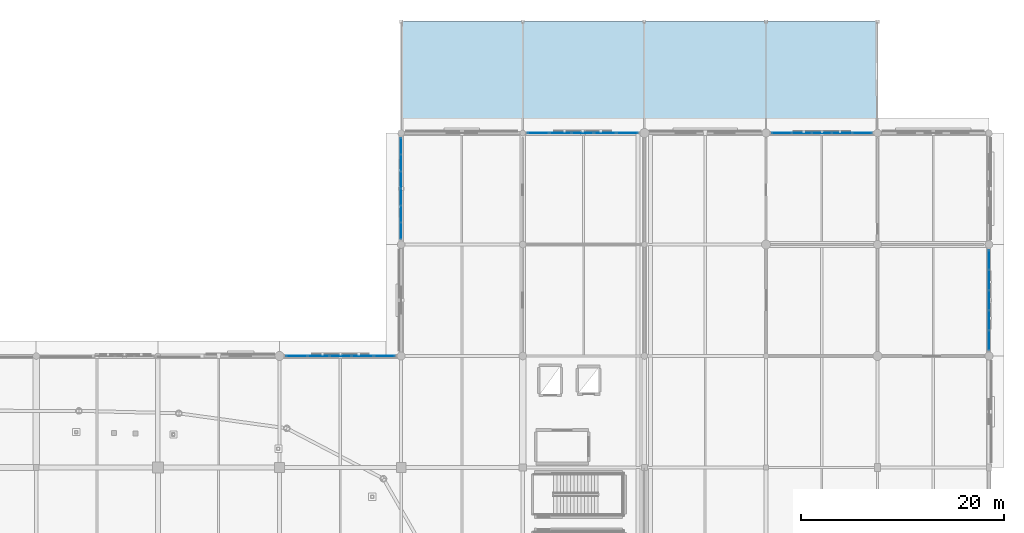
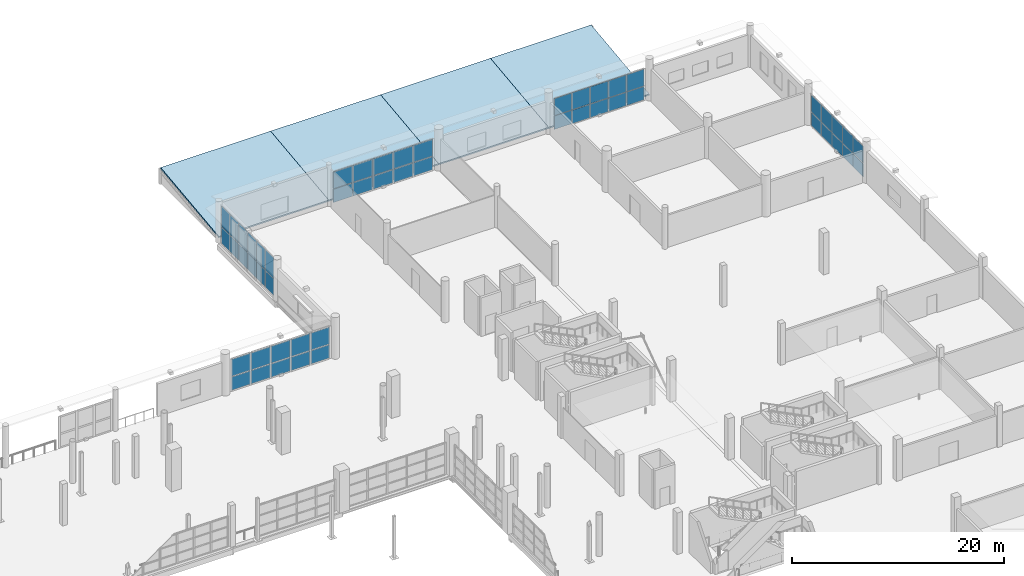
# One storey, part 83 of 143: 52 plates, 4 slabs, 5 elements without a shape of their own.
"""IFC4 building model written with IfcOpenShell, lengths in metres."""

from ifc_helpers import new_model, si_unit, direction, frame, origin, origin_2d, place, context, subcontext, project, spatial, polyline, rectangle, outline, extrude, material, layer, layer_set, type_object, element, aggregate, save


model = new_model("IFC4")

# Units and contexts
model_context = context("Model", 3, precision=1e-05, world=origin(), true_north=direction((0.0, 1.0)))
body_context = subcontext(model_context, "Body", "Model", "MODEL_VIEW")
ifc_project = project(units=[si_unit("LENGTHUNIT", "METRE"), si_unit("AREAUNIT", "SQUARE_METRE"), si_unit("VOLUMEUNIT", "CUBIC_METRE"), si_unit("PLANEANGLEUNIT", "RADIAN"), si_unit("MASSUNIT", "GRAM", prefix="KILO")], contexts=[model_context])

# Site, building, storey
site_placement = place(None, origin())
site = spatial("IfcSite", under=ifc_project, at=site_placement, CompositionType="ELEMENT")
building_placement = place(site_placement, origin())
building = spatial("IfcBuilding", under=site, at=building_placement, Name="Luwafu Chhajja Arena", CompositionType="ELEMENT")
storey_placement = place(building_placement, frame((0.0, 0.0, 5.39990234375)))
storey = spatial("IfcBuildingStorey", under=building, at=storey_placement, Name="L01", CompositionType="ELEMENT", Elevation=5.39990234375)

# Curtain wall, plates
ifc_material_1 = material(Name="Anodised bronze aluminium", Category="aluminium")
curtain_wall_type_1 = type_object("IfcCurtainWallType", Name="VIP Club Terrace Curtain Wall", PredefinedType="USERDEFINED", material=ifc_material_1)
curtain_wall_1_placement = place(storey_placement, origin())
curtain_wall_1 = element("IfcCurtainWall", 1, at=curtain_wall_1_placement, inside=storey, type_object=curtain_wall_type_1, Name="L01 Curtain Wall CWG-L01-H15_11", ObjectType="CURTAIN WALL", PredefinedType="USERDEFINED")
ifc_material_2 = material(Name="Solar-control laminated glass", Category="glass")
ifc_layer_1 = layer(ifc_material_2, 0.035888671875, Name="Solar-control laminated glass")
ifc_layer_set_1 = layer_set([ifc_layer_1], Name="Solar-control laminated glass")
plate_type_1 = type_object("IfcPlateType", Name="Acoustic Broadcast Double Glazed CW Panel 36", PredefinedType="CURTAIN_PANEL", material=ifc_layer_set_1)
plate_1_placement = place(storey_placement, frame((177.55078125, 121.0, 0.09521484375), z_axis=(0.0, 0.0, 1.0), x_axis=(1.0, 0.0, 0.0)))
plate_1 = element("IfcPlate", 2, at=plate_1_placement, type_object=plate_type_1, Name="CW-10 panel 1.1", PredefinedType="CURTAIN_PANEL", context=body_context, shape_type="SweptSolid", body=[
    extrude(rectangle(XDim=1.8916015625, YDim=0.035888671875, at=origin_2d()), origin(), (0.0, 0.0, 1.0), 1.539794921875),
])
plate_2_placement = place(storey_placement, frame((177.55078125, 121.0, 1.69970703125), z_axis=(0.0, 0.0, 1.0), x_axis=(1.0, 0.0, 0.0)))
plate_2 = element("IfcPlate", 3, at=plate_2_placement, type_object=plate_type_1, Name="CW-10 panel 1.2", PredefinedType="CURTAIN_PANEL", context=body_context, shape_type="SweptSolid", body=[
    extrude(rectangle(XDim=1.8916015625, YDim=0.035888671875, at=origin_2d()), origin(), (0.0, 0.0, 1.0), 1.940185546875),
])
plate_3_placement = place(storey_placement, frame((179.5234375, 121.0, 0.09521484375), z_axis=(0.0, 0.0, 1.0), x_axis=(1.0, 0.0, 0.0)))
plate_3 = element("IfcPlate", 4, at=plate_3_placement, type_object=plate_type_1, Name="CW-10 panel 2.1", PredefinedType="CURTAIN_PANEL", context=body_context, shape_type="SweptSolid", body=[
    extrude(rectangle(XDim=1.924072265625, YDim=0.035888671875, at=origin_2d()), origin(), (0.0, 0.0, 1.0), 1.539794921875),
])
plate_4_placement = place(storey_placement, frame((179.5234375, 121.0, 1.69970703125), z_axis=(0.0, 0.0, 1.0), x_axis=(1.0, 0.0, 0.0)))
plate_4 = element("IfcPlate", 5, at=plate_4_placement, type_object=plate_type_1, Name="CW-10 panel 2.2", PredefinedType="CURTAIN_PANEL", context=body_context, shape_type="SweptSolid", body=[
    extrude(rectangle(XDim=1.924072265625, YDim=0.035888671875, at=origin_2d()), origin(), (0.0, 0.0, 1.0), 1.940185546875),
])
plate_5_placement = place(storey_placement, frame((181.512451171875, 121.0, 0.09521484375), z_axis=(0.0, 0.0, 1.0), x_axis=(1.0, 0.0, 0.0)))
plate_5 = element("IfcPlate", 6, at=plate_5_placement, type_object=plate_type_1, Name="CW-10 panel 3.1", PredefinedType="CURTAIN_PANEL", context=body_context, shape_type="SweptSolid", body=[
    extrude(rectangle(XDim=1.924072265625, YDim=0.035888671875, at=origin_2d()), origin(), (0.0, 0.0, 1.0), 1.539794921875),
])
plate_6_placement = place(storey_placement, frame((181.512451171875, 121.0, 1.69970703125), z_axis=(0.0, 0.0, 1.0), x_axis=(1.0, 0.0, 0.0)))
plate_6 = element("IfcPlate", 7, at=plate_6_placement, type_object=plate_type_1, Name="CW-10 panel 3.2", PredefinedType="CURTAIN_PANEL", context=body_context, shape_type="SweptSolid", body=[
    extrude(rectangle(XDim=1.924072265625, YDim=0.035888671875, at=origin_2d()), origin(), (0.0, 0.0, 1.0), 1.940185546875),
])
plate_7_placement = place(storey_placement, frame((183.50146484375, 121.0, 0.09521484375), z_axis=(0.0, 0.0, 1.0), x_axis=(1.0, 0.0, 0.0)))
plate_7 = element("IfcPlate", 8, at=plate_7_placement, type_object=plate_type_1, Name="CW-10 panel 4.1", PredefinedType="CURTAIN_PANEL", context=body_context, shape_type="SweptSolid", body=[
    extrude(rectangle(XDim=1.924072265625, YDim=0.035888671875, at=origin_2d()), origin(), (0.0, 0.0, 1.0), 1.539794921875),
])
plate_8_placement = place(storey_placement, frame((183.50146484375, 121.0, 1.69970703125), z_axis=(0.0, 0.0, 1.0), x_axis=(1.0, 0.0, 0.0)))
plate_8 = element("IfcPlate", 9, at=plate_8_placement, type_object=plate_type_1, Name="CW-10 panel 4.2", PredefinedType="CURTAIN_PANEL", context=body_context, shape_type="SweptSolid", body=[
    extrude(rectangle(XDim=1.924072265625, YDim=0.035888671875, at=origin_2d()), origin(), (0.0, 0.0, 1.0), 1.940185546875),
])
plate_9_placement = place(storey_placement, frame((185.474365234375, 121.0, 0.09521484375), z_axis=(0.0, 0.0, 1.0), x_axis=(1.0, 0.0, 0.0)))
plate_9 = element("IfcPlate", 10, at=plate_9_placement, type_object=plate_type_1, Name="CW-10 panel 5.1", PredefinedType="CURTAIN_PANEL", context=body_context, shape_type="SweptSolid", body=[
    extrude(rectangle(XDim=1.8916015625, YDim=0.035888671875, at=origin_2d()), origin(), (0.0, 0.0, 1.0), 1.539794921875),
])
plate_10_placement = place(storey_placement, frame((185.474365234375, 121.0, 1.69970703125), z_axis=(0.0, 0.0, 1.0), x_axis=(1.0, 0.0, 0.0)))
plate_10 = element("IfcPlate", 11, at=plate_10_placement, type_object=plate_type_1, Name="CW-10 panel 5.2", PredefinedType="CURTAIN_PANEL", context=body_context, shape_type="SweptSolid", body=[
    extrude(rectangle(XDim=1.8916015625, YDim=0.035888671875, at=origin_2d()), origin(), (0.0, 0.0, 1.0), 1.940185546875),
])
aggregate(curtain_wall_1, [plate_1, plate_2, plate_3, plate_4, plate_5, plate_6, plate_7, plate_8, plate_9, plate_10])

# Slabs
ifc_material_3 = material(Name="Precast concrete C40/50", Category="concrete")
ifc_layer_2 = layer(ifc_material_3, 0.169921875, Name="Precast concrete C40/50")
ifc_layer_set_2 = layer_set([ifc_layer_2], Name="Precast concrete C40/50")
slab_type = type_object("IfcSlabType", Name="Colonnade Sloped Chhajja Roof Slab 170", PredefinedType="ROOF", material=ifc_layer_set_2)
for number, where, z_axis, x_axis, name in (
    (12, (140.0, 121.0, 0.550048828125), (0.0, -0.11736939237, 0.993088327257), (0.0, 0.993088327257, 0.11736939237), "L01 North Cloister Sloped Chhajja Roof 12"),
    (13, (152.0, 121.0, 0.550048828125), (0.0, -0.11736939237, 0.993088327257), (0.0, 0.993088327257, 0.11736939237), "L01 North Cloister Sloped Chhajja Roof 13"),
    (14, (164.0, 121.0, 0.550048828125), (0.0, -0.11736939237, 0.993088327257), (0.0, 0.993088327257, 0.11736939237), "L01 North Cloister Sloped Chhajja Roof 14"),
):
    element("IfcSlab", number, at=place(storey_placement, frame(where, z_axis=z_axis, x_axis=x_axis)), inside=storey, type_object=slab_type, Name=name, PredefinedType="ROOF", context=body_context, shape_type="SweptSolid", body=[
        extrude(outline(polyline([(0.0, 0.0), (11.076557540838634, 0.0), (11.076557540838634, -12.0), (0.0, -12.0), (0.0, 0.0)])), origin(), (0.0, 0.0, -1.0), 0.169921875),
    ])
slab_placement = place(storey_placement, frame((176.0, 121.0, 0.550048828125), z_axis=(0.0, -0.11736939237, 0.993088327257), x_axis=(0.0, 0.993088327257, 0.11736939237)))
element("IfcSlab", 15, at=slab_placement, inside=storey, type_object=slab_type, Name="L01 North Cloister Sloped Chhajja Roof 15", PredefinedType="ROOF", context=body_context, shape_type="SweptSolid", body=[
    extrude(outline(polyline([(0.0, 0.0), (11.076557540838634, 0.0), (11.076557540838634, -11.0), (0.0, -11.0), (0.0, 0.0)])), origin(), (0.0, 0.0, -1.0), 0.169921875),
])

# Curtain wall, plates
curtain_wall_type_2 = type_object("IfcCurtainWallType", Name="Pishtaq Monumental Portal Curtain Wall", PredefinedType="USERDEFINED", material=ifc_material_1)
curtain_wall_2_placement = place(storey_placement, origin())
curtain_wall_2 = element("IfcCurtainWall", 16, at=curtain_wall_2_placement, inside=storey, type_object=curtain_wall_type_2, Name="L01 Curtain Wall CWG-L01-H11_09", ObjectType="CURTAIN WALL", PredefinedType="USERDEFINED")
ifc_layer_3 = layer(ifc_material_2, 0.0419921875, Name="Solar-control laminated glass")
ifc_layer_set_3 = layer_set([ifc_layer_3], Name="Solar-control laminated glass")
plate_type_2 = type_object("IfcPlateType", Name="Pishtaq Tall Laminated Glazed Panel 42", PredefinedType="CURTAIN_PANEL", material=ifc_layer_set_3)
plate_11_placement = place(storey_placement, frame((129.697021484375, 99.0, 0.110107421875), z_axis=(0.0, 0.0, 1.0), x_axis=(1.0, 0.0, 0.0)))
plate_11 = element("IfcPlate", 17, at=plate_11_placement, type_object=plate_type_2, Name="CW-04 panel 1.1", PredefinedType="CURTAIN_PANEL", context=body_context, shape_type="SweptSolid", body=[
    extrude(rectangle(XDim=2.053955078125, YDim=0.0419921875, at=origin_2d()), origin(), (0.0, 0.0, 1.0), 1.54638671875),
])
plate_12_placement = place(storey_placement, frame((129.697021484375, 99.0, 1.736328125), z_axis=(0.0, 0.0, 1.0), x_axis=(1.0, 0.0, 0.0)))
plate_12 = element("IfcPlate", 18, at=plate_12_placement, type_object=plate_type_2, Name="CW-04 panel 1.2", PredefinedType="CURTAIN_PANEL", context=body_context, shape_type="SweptSolid", body=[
    extrude(rectangle(XDim=2.053955078125, YDim=0.0419921875, at=origin_2d()), origin(), (0.0, 0.0, 1.0), 1.953369140625),
])
plate_13_placement = place(storey_placement, frame((131.85107421875, 99.0, 0.110107421875), z_axis=(0.0, 0.0, 1.0), x_axis=(1.0, 0.0, 0.0)))
plate_13 = element("IfcPlate", 19, at=plate_13_placement, type_object=plate_type_2, Name="CW-04 panel 2.1", PredefinedType="CURTAIN_PANEL", context=body_context, shape_type="SweptSolid", body=[
    extrude(rectangle(XDim=2.093994140625, YDim=0.0419921875, at=origin_2d()), origin(), (0.0, 0.0, 1.0), 1.54638671875),
])
plate_14_placement = place(storey_placement, frame((131.85107421875, 99.0, 1.736328125), z_axis=(0.0, 0.0, 1.0), x_axis=(1.0, 0.0, 0.0)))
plate_14 = element("IfcPlate", 20, at=plate_14_placement, type_object=plate_type_2, Name="CW-04 panel 2.2", PredefinedType="CURTAIN_PANEL", context=body_context, shape_type="SweptSolid", body=[
    extrude(rectangle(XDim=2.093994140625, YDim=0.0419921875, at=origin_2d()), origin(), (0.0, 0.0, 1.0), 1.953369140625),
])
plate_15_placement = place(storey_placement, frame((134.02490234375, 99.0, 0.110107421875), z_axis=(0.0, 0.0, 1.0), x_axis=(1.0, 0.0, 0.0)))
plate_15 = element("IfcPlate", 21, at=plate_15_placement, type_object=plate_type_2, Name="CW-04 panel 3.1", PredefinedType="CURTAIN_PANEL", context=body_context, shape_type="SweptSolid", body=[
    extrude(rectangle(XDim=2.093994140625, YDim=0.0419921875, at=origin_2d()), origin(), (0.0, 0.0, 1.0), 1.54638671875),
])
plate_16_placement = place(storey_placement, frame((134.02490234375, 99.0, 1.736328125), z_axis=(0.0, 0.0, 1.0), x_axis=(1.0, 0.0, 0.0)))
plate_16 = element("IfcPlate", 22, at=plate_16_placement, type_object=plate_type_2, Name="CW-04 panel 3.2", PredefinedType="CURTAIN_PANEL", context=body_context, shape_type="SweptSolid", body=[
    extrude(rectangle(XDim=2.093994140625, YDim=0.0419921875, at=origin_2d()), origin(), (0.0, 0.0, 1.0), 1.953369140625),
])
plate_17_placement = place(storey_placement, frame((136.198974609375, 99.0, 0.110107421875), z_axis=(0.0, 0.0, 1.0), x_axis=(1.0, 0.0, 0.0)))
plate_17 = element("IfcPlate", 23, at=plate_17_placement, type_object=plate_type_2, Name="CW-04 panel 4.1", PredefinedType="CURTAIN_PANEL", context=body_context, shape_type="SweptSolid", body=[
    extrude(rectangle(XDim=2.093994140625, YDim=0.0419921875, at=origin_2d()), origin(), (0.0, 0.0, 1.0), 1.54638671875),
])
plate_18_placement = place(storey_placement, frame((136.198974609375, 99.0, 1.736328125), z_axis=(0.0, 0.0, 1.0), x_axis=(1.0, 0.0, 0.0)))
plate_18 = element("IfcPlate", 24, at=plate_18_placement, type_object=plate_type_2, Name="CW-04 panel 4.2", PredefinedType="CURTAIN_PANEL", context=body_context, shape_type="SweptSolid", body=[
    extrude(rectangle(XDim=2.093994140625, YDim=0.0419921875, at=origin_2d()), origin(), (0.0, 0.0, 1.0), 1.953369140625),
])
plate_19_placement = place(storey_placement, frame((138.35302734375, 99.0, 0.110107421875), z_axis=(0.0, 0.0, 1.0), x_axis=(1.0, 0.0, 0.0)))
plate_19 = element("IfcPlate", 25, at=plate_19_placement, type_object=plate_type_2, Name="CW-04 panel 5.1", PredefinedType="CURTAIN_PANEL", context=body_context, shape_type="SweptSolid", body=[
    extrude(rectangle(XDim=2.053955078125, YDim=0.0419921875, at=origin_2d()), origin(), (0.0, 0.0, 1.0), 1.54638671875),
])
plate_20_placement = place(storey_placement, frame((138.35302734375, 99.0, 1.736328125), z_axis=(0.0, 0.0, 1.0), x_axis=(1.0, 0.0, 0.0)))
plate_20 = element("IfcPlate", 26, at=plate_20_placement, type_object=plate_type_2, Name="CW-04 panel 5.2", PredefinedType="CURTAIN_PANEL", context=body_context, shape_type="SweptSolid", body=[
    extrude(rectangle(XDim=2.053955078125, YDim=0.0419921875, at=origin_2d()), origin(), (0.0, 0.0, 1.0), 1.953369140625),
])
aggregate(curtain_wall_2, [plate_11, plate_12, plate_13, plate_14, plate_15, plate_16, plate_17, plate_18, plate_19, plate_20])

curtain_wall_3_placement = place(storey_placement, origin())
curtain_wall_3 = element("IfcCurtainWall", 27, at=curtain_wall_3_placement, inside=storey, type_object=curtain_wall_type_2, Name="L01 Curtain Wall CWG-L01-H13_11", ObjectType="CURTAIN WALL", PredefinedType="USERDEFINED")
plate_21_placement = place(storey_placement, frame((153.534423828125, 121.0, 0.10986328125), z_axis=(0.0, 0.0, 1.0), x_axis=(1.0, 0.0, 0.0)))
plate_21 = element("IfcPlate", 28, at=plate_21_placement, type_object=plate_type_2, Name="CW-04 panel 1.1", PredefinedType="CURTAIN_PANEL", context=body_context, shape_type="SweptSolid", body=[
    extrude(rectangle(XDim=2.0791015625, YDim=0.0419921875, at=origin_2d()), origin(), (0.0, 0.0, 1.0), 1.517333984375),
])
plate_22_placement = place(storey_placement, frame((153.534423828125, 121.0, 1.70751953125), z_axis=(0.0, 0.0, 1.0), x_axis=(1.0, 0.0, 0.0)))
plate_22 = element("IfcPlate", 29, at=plate_22_placement, type_object=plate_type_2, Name="CW-04 panel 1.2", PredefinedType="CURTAIN_PANEL", context=body_context, shape_type="SweptSolid", body=[
    extrude(rectangle(XDim=2.0791015625, YDim=0.0419921875, at=origin_2d()), origin(), (0.0, 0.0, 1.0), 1.917724609375),
])
plate_23_placement = place(storey_placement, frame((155.71337890625, 121.0, 0.10986328125), z_axis=(0.0, 0.0, 1.0), x_axis=(1.0, 0.0, 0.0)))
plate_23 = element("IfcPlate", 30, at=plate_23_placement, type_object=plate_type_2, Name="CW-04 panel 2.1", PredefinedType="CURTAIN_PANEL", context=body_context, shape_type="SweptSolid", body=[
    extrude(rectangle(XDim=2.118896484375, YDim=0.0419921875, at=origin_2d()), origin(), (0.0, 0.0, 1.0), 1.517333984375),
])
plate_24_placement = place(storey_placement, frame((155.71337890625, 121.0, 1.70751953125), z_axis=(0.0, 0.0, 1.0), x_axis=(1.0, 0.0, 0.0)))
plate_24 = element("IfcPlate", 31, at=plate_24_placement, type_object=plate_type_2, Name="CW-04 panel 2.2", PredefinedType="CURTAIN_PANEL", context=body_context, shape_type="SweptSolid", body=[
    extrude(rectangle(XDim=2.118896484375, YDim=0.0419921875, at=origin_2d()), origin(), (0.0, 0.0, 1.0), 1.917724609375),
])
plate_25_placement = place(storey_placement, frame((157.91259765625, 121.0, 0.10986328125), z_axis=(0.0, 0.0, 1.0), x_axis=(1.0, 0.0, 0.0)))
plate_25 = element("IfcPlate", 32, at=plate_25_placement, type_object=plate_type_2, Name="CW-04 panel 3.1", PredefinedType="CURTAIN_PANEL", context=body_context, shape_type="SweptSolid", body=[
    extrude(rectangle(XDim=2.118896484375, YDim=0.0419921875, at=origin_2d()), origin(), (0.0, 0.0, 1.0), 1.517333984375),
])
plate_26_placement = place(storey_placement, frame((157.91259765625, 121.0, 1.70751953125), z_axis=(0.0, 0.0, 1.0), x_axis=(1.0, 0.0, 0.0)))
plate_26 = element("IfcPlate", 33, at=plate_26_placement, type_object=plate_type_2, Name="CW-04 panel 3.2", PredefinedType="CURTAIN_PANEL", context=body_context, shape_type="SweptSolid", body=[
    extrude(rectangle(XDim=2.118896484375, YDim=0.0419921875, at=origin_2d()), origin(), (0.0, 0.0, 1.0), 1.917724609375),
])
plate_27_placement = place(storey_placement, frame((160.111572265625, 121.0, 0.10986328125), z_axis=(0.0, 0.0, 1.0), x_axis=(1.0, 0.0, 0.0)))
plate_27 = element("IfcPlate", 34, at=plate_27_placement, type_object=plate_type_2, Name="CW-04 panel 4.1", PredefinedType="CURTAIN_PANEL", context=body_context, shape_type="SweptSolid", body=[
    extrude(rectangle(XDim=2.118896484375, YDim=0.0419921875, at=origin_2d()), origin(), (0.0, 0.0, 1.0), 1.517333984375),
])
plate_28_placement = place(storey_placement, frame((160.111572265625, 121.0, 1.70751953125), z_axis=(0.0, 0.0, 1.0), x_axis=(1.0, 0.0, 0.0)))
plate_28 = element("IfcPlate", 35, at=plate_28_placement, type_object=plate_type_2, Name="CW-04 panel 4.2", PredefinedType="CURTAIN_PANEL", context=body_context, shape_type="SweptSolid", body=[
    extrude(rectangle(XDim=2.118896484375, YDim=0.0419921875, at=origin_2d()), origin(), (0.0, 0.0, 1.0), 1.917724609375),
])
plate_29_placement = place(storey_placement, frame((162.29052734375, 121.0, 0.10986328125), z_axis=(0.0, 0.0, 1.0), x_axis=(1.0, 0.0, 0.0)))
plate_29 = element("IfcPlate", 36, at=plate_29_placement, type_object=plate_type_2, Name="CW-04 panel 5.1", PredefinedType="CURTAIN_PANEL", context=body_context, shape_type="SweptSolid", body=[
    extrude(rectangle(XDim=2.0791015625, YDim=0.0419921875, at=origin_2d()), origin(), (0.0, 0.0, 1.0), 1.517333984375),
])
plate_30_placement = place(storey_placement, frame((162.29052734375, 121.0, 1.70751953125), z_axis=(0.0, 0.0, 1.0), x_axis=(1.0, 0.0, 0.0)))
plate_30 = element("IfcPlate", 37, at=plate_30_placement, type_object=plate_type_2, Name="CW-04 panel 5.2", PredefinedType="CURTAIN_PANEL", context=body_context, shape_type="SweptSolid", body=[
    extrude(rectangle(XDim=2.0791015625, YDim=0.0419921875, at=origin_2d()), origin(), (0.0, 0.0, 1.0), 1.917724609375),
])
aggregate(curtain_wall_3, [plate_21, plate_22, plate_23, plate_24, plate_25, plate_26, plate_27, plate_28, plate_29, plate_30])

curtain_wall_type_3 = type_object("IfcCurtainWallType", Name="Community Hall Street Curtain Wall", PredefinedType="USERDEFINED", material=ifc_material_1)
curtain_wall_4_placement = place(storey_placement, origin())
curtain_wall_4 = element("IfcCurtainWall", 38, at=curtain_wall_4_placement, inside=storey, type_object=curtain_wall_type_3, Name="L01 Curtain Wall CWG-L01-V12_10", ObjectType="CURTAIN WALL", PredefinedType="USERDEFINED")
ifc_layer_4 = layer(ifc_material_2, 0.028076171875, Name="Solar-control laminated glass")
ifc_layer_set_4 = layer_set([ifc_layer_4], Name="Solar-control laminated glass")
plate_type_3 = type_object("IfcPlateType", Name="Solar Control Double Glazed CW Panel 28", PredefinedType="CURTAIN_PANEL", material=ifc_layer_set_4)
plate_31_placement = place(storey_placement, frame((140.0, 111.364990234375, 0.08984375), z_axis=(0.0, 0.0, 1.0), x_axis=(0.0, 1.0, 0.0)))
plate_31 = element("IfcPlate", 39, at=plate_31_placement, type_object=plate_type_3, Name="CW-09 panel 1.1", PredefinedType="CURTAIN_PANEL", context=body_context, shape_type="SweptSolid", body=[
    extrude(rectangle(XDim=1.580078125, YDim=0.028076171875, at=origin_2d()), origin(), (0.0, 0.0, 1.0), 1.889404296875),
])
plate_32_placement = place(storey_placement, frame((140.0, 111.364990234375, 2.039306640625), z_axis=(0.0, 0.0, 1.0), x_axis=(0.0, 1.0, 0.0)))
plate_32 = element("IfcPlate", 40, at=plate_32_placement, type_object=plate_type_3, Name="CW-09 panel 1.2", PredefinedType="CURTAIN_PANEL", context=body_context, shape_type="SweptSolid", body=[
    extrude(rectangle(XDim=1.580078125, YDim=0.028076171875, at=origin_2d()), origin(), (0.0, 0.0, 1.0), 2.36572265625),
])
plate_33_placement = place(storey_placement, frame((140.0, 113.02001953125, 0.08984375), z_axis=(0.0, 0.0, 1.0), x_axis=(0.0, 1.0, 0.0)))
plate_33 = element("IfcPlate", 41, at=plate_33_placement, type_object=plate_type_3, Name="CW-09 panel 2.1", PredefinedType="CURTAIN_PANEL", context=body_context, shape_type="SweptSolid", body=[
    extrude(rectangle(XDim=1.610107421875, YDim=0.028076171875, at=origin_2d()), origin(), (0.0, 0.0, 1.0), 1.889404296875),
])
plate_34_placement = place(storey_placement, frame((140.0, 113.02001953125, 2.039306640625), z_axis=(0.0, 0.0, 1.0), x_axis=(0.0, 1.0, 0.0)))
plate_34 = element("IfcPlate", 42, at=plate_34_placement, type_object=plate_type_3, Name="CW-09 panel 2.2", PredefinedType="CURTAIN_PANEL", context=body_context, shape_type="SweptSolid", body=[
    extrude(rectangle(XDim=1.610107421875, YDim=0.028076171875, at=origin_2d()), origin(), (0.0, 0.0, 1.0), 2.36572265625),
])
plate_35_placement = place(storey_placement, frame((140.0, 114.68994140625, 0.08984375), z_axis=(0.0, 0.0, 1.0), x_axis=(0.0, 1.0, 0.0)))
plate_35 = element("IfcPlate", 43, at=plate_35_placement, type_object=plate_type_3, Name="CW-09 panel 3.1", PredefinedType="CURTAIN_PANEL", context=body_context, shape_type="SweptSolid", body=[
    extrude(rectangle(XDim=1.610107421875, YDim=0.028076171875, at=origin_2d()), origin(), (0.0, 0.0, 1.0), 1.889404296875),
])
plate_36_placement = place(storey_placement, frame((140.0, 114.68994140625, 2.039306640625), z_axis=(0.0, 0.0, 1.0), x_axis=(0.0, 1.0, 0.0)))
plate_36 = element("IfcPlate", 44, at=plate_36_placement, type_object=plate_type_3, Name="CW-09 panel 3.2", PredefinedType="CURTAIN_PANEL", context=body_context, shape_type="SweptSolid", body=[
    extrude(rectangle(XDim=1.610107421875, YDim=0.028076171875, at=origin_2d()), origin(), (0.0, 0.0, 1.0), 2.36572265625),
])
plate_37_placement = place(storey_placement, frame((140.0, 116.360107421875, 0.08984375), z_axis=(0.0, 0.0, 1.0), x_axis=(0.0, 1.0, 0.0)))
plate_37 = element("IfcPlate", 45, at=plate_37_placement, type_object=plate_type_3, Name="CW-09 panel 4.1", PredefinedType="CURTAIN_PANEL", context=body_context, shape_type="SweptSolid", body=[
    extrude(rectangle(XDim=1.610107421875, YDim=0.028076171875, at=origin_2d()), origin(), (0.0, 0.0, 1.0), 1.889404296875),
])
plate_38_placement = place(storey_placement, frame((140.0, 116.360107421875, 2.039306640625), z_axis=(0.0, 0.0, 1.0), x_axis=(0.0, 1.0, 0.0)))
plate_38 = element("IfcPlate", 46, at=plate_38_placement, type_object=plate_type_3, Name="CW-09 panel 4.2", PredefinedType="CURTAIN_PANEL", context=body_context, shape_type="SweptSolid", body=[
    extrude(rectangle(XDim=1.610107421875, YDim=0.028076171875, at=origin_2d()), origin(), (0.0, 0.0, 1.0), 2.36572265625),
])
plate_39_placement = place(storey_placement, frame((140.0, 118.030029296875, 0.08984375), z_axis=(0.0, 0.0, 1.0), x_axis=(0.0, 1.0, 0.0)))
plate_39 = element("IfcPlate", 47, at=plate_39_placement, type_object=plate_type_3, Name="CW-09 panel 5.1", PredefinedType="CURTAIN_PANEL", context=body_context, shape_type="SweptSolid", body=[
    extrude(rectangle(XDim=1.610107421875, YDim=0.028076171875, at=origin_2d()), origin(), (0.0, 0.0, 1.0), 1.889404296875),
])
plate_40_placement = place(storey_placement, frame((140.0, 118.030029296875, 2.039306640625), z_axis=(0.0, 0.0, 1.0), x_axis=(0.0, 1.0, 0.0)))
plate_40 = element("IfcPlate", 48, at=plate_40_placement, type_object=plate_type_3, Name="CW-09 panel 5.2", PredefinedType="CURTAIN_PANEL", context=body_context, shape_type="SweptSolid", body=[
    extrude(rectangle(XDim=1.610107421875, YDim=0.028076171875, at=origin_2d()), origin(), (0.0, 0.0, 1.0), 2.36572265625),
])
plate_41_placement = place(storey_placement, frame((140.0, 119.68505859375, 0.08984375), z_axis=(0.0, 0.0, 1.0), x_axis=(0.0, 1.0, 0.0)))
plate_41 = element("IfcPlate", 49, at=plate_41_placement, type_object=plate_type_3, Name="CW-09 panel 6.1", PredefinedType="CURTAIN_PANEL", context=body_context, shape_type="SweptSolid", body=[
    extrude(rectangle(XDim=1.580078125, YDim=0.028076171875, at=origin_2d()), origin(), (0.0, 0.0, 1.0), 1.889404296875),
])
plate_42_placement = place(storey_placement, frame((140.0, 119.68505859375, 2.039306640625), z_axis=(0.0, 0.0, 1.0), x_axis=(0.0, 1.0, 0.0)))
plate_42 = element("IfcPlate", 50, at=plate_42_placement, type_object=plate_type_3, Name="CW-09 panel 6.2", PredefinedType="CURTAIN_PANEL", context=body_context, shape_type="SweptSolid", body=[
    extrude(rectangle(XDim=1.580078125, YDim=0.028076171875, at=origin_2d()), origin(), (0.0, 0.0, 1.0), 2.36572265625),
])
aggregate(curtain_wall_4, [plate_31, plate_32, plate_33, plate_34, plate_35, plate_36, plate_37, plate_38, plate_39, plate_40, plate_41, plate_42])

curtain_wall_type_4 = type_object("IfcCurtainWallType", Name="Hospitality Ring Curtain Wall", PredefinedType="USERDEFINED", material=ifc_material_1)
curtain_wall_5_placement = place(storey_placement, origin())
curtain_wall_5 = element("IfcCurtainWall", 51, at=curtain_wall_5_placement, inside=storey, type_object=curtain_wall_type_4, Name="L01 Curtain Wall CWG-L01-V17_09", ObjectType="CURTAIN WALL", PredefinedType="USERDEFINED")
plate_43_placement = place(storey_placement, frame((198.0, 100.55078125, 0.09521484375), z_axis=(0.0, 0.0, 1.0), x_axis=(0.0, 1.0, 0.0)))
plate_43 = element("IfcPlate", 52, at=plate_43_placement, type_object=plate_type_3, Name="CW-02 panel 1.1", PredefinedType="CURTAIN_PANEL", context=body_context, shape_type="SweptSolid", body=[
    extrude(rectangle(XDim=1.8916015625, YDim=0.028076171875, at=origin_2d()), origin(), (0.0, 0.0, 1.0), 1.539794921875),
])
plate_44_placement = place(storey_placement, frame((198.0, 100.55078125, 1.69970703125), z_axis=(0.0, 0.0, 1.0), x_axis=(0.0, 1.0, 0.0)))
plate_44 = element("IfcPlate", 53, at=plate_44_placement, type_object=plate_type_3, Name="CW-02 panel 1.2", PredefinedType="CURTAIN_PANEL", context=body_context, shape_type="SweptSolid", body=[
    extrude(rectangle(XDim=1.8916015625, YDim=0.028076171875, at=origin_2d()), origin(), (0.0, 0.0, 1.0), 1.940185546875),
])
plate_45_placement = place(storey_placement, frame((198.0, 102.5234375, 0.09521484375), z_axis=(0.0, 0.0, 1.0), x_axis=(0.0, 1.0, 0.0)))
plate_45 = element("IfcPlate", 54, at=plate_45_placement, type_object=plate_type_3, Name="CW-02 panel 2.1", PredefinedType="CURTAIN_PANEL", context=body_context, shape_type="SweptSolid", body=[
    extrude(rectangle(XDim=1.924072265625, YDim=0.028076171875, at=origin_2d()), origin(), (0.0, 0.0, 1.0), 1.539794921875),
])
plate_46_placement = place(storey_placement, frame((198.0, 102.5234375, 1.69970703125), z_axis=(0.0, 0.0, 1.0), x_axis=(0.0, 1.0, 0.0)))
plate_46 = element("IfcPlate", 55, at=plate_46_placement, type_object=plate_type_3, Name="CW-02 panel 2.2", PredefinedType="CURTAIN_PANEL", context=body_context, shape_type="SweptSolid", body=[
    extrude(rectangle(XDim=1.924072265625, YDim=0.028076171875, at=origin_2d()), origin(), (0.0, 0.0, 1.0), 1.940185546875),
])
plate_47_placement = place(storey_placement, frame((198.0, 104.512451171875, 0.09521484375), z_axis=(0.0, 0.0, 1.0), x_axis=(0.0, 1.0, 0.0)))
plate_47 = element("IfcPlate", 56, at=plate_47_placement, type_object=plate_type_3, Name="CW-02 panel 3.1", PredefinedType="CURTAIN_PANEL", context=body_context, shape_type="SweptSolid", body=[
    extrude(rectangle(XDim=1.924072265625, YDim=0.028076171875, at=origin_2d()), origin(), (0.0, 0.0, 1.0), 1.539794921875),
])
plate_48_placement = place(storey_placement, frame((198.0, 104.512451171875, 1.69970703125), z_axis=(0.0, 0.0, 1.0), x_axis=(0.0, 1.0, 0.0)))
plate_48 = element("IfcPlate", 57, at=plate_48_placement, type_object=plate_type_3, Name="CW-02 panel 3.2", PredefinedType="CURTAIN_PANEL", context=body_context, shape_type="SweptSolid", body=[
    extrude(rectangle(XDim=1.924072265625, YDim=0.028076171875, at=origin_2d()), origin(), (0.0, 0.0, 1.0), 1.940185546875),
])
plate_49_placement = place(storey_placement, frame((198.0, 106.50146484375, 0.09521484375), z_axis=(0.0, 0.0, 1.0), x_axis=(0.0, 1.0, 0.0)))
plate_49 = element("IfcPlate", 58, at=plate_49_placement, type_object=plate_type_3, Name="CW-02 panel 4.1", PredefinedType="CURTAIN_PANEL", context=body_context, shape_type="SweptSolid", body=[
    extrude(rectangle(XDim=1.924072265625, YDim=0.028076171875, at=origin_2d()), origin(), (0.0, 0.0, 1.0), 1.539794921875),
])
plate_50_placement = place(storey_placement, frame((198.0, 106.50146484375, 1.69970703125), z_axis=(0.0, 0.0, 1.0), x_axis=(0.0, 1.0, 0.0)))
plate_50 = element("IfcPlate", 59, at=plate_50_placement, type_object=plate_type_3, Name="CW-02 panel 4.2", PredefinedType="CURTAIN_PANEL", context=body_context, shape_type="SweptSolid", body=[
    extrude(rectangle(XDim=1.924072265625, YDim=0.028076171875, at=origin_2d()), origin(), (0.0, 0.0, 1.0), 1.940185546875),
])
plate_51_placement = place(storey_placement, frame((198.0, 108.474365234375, 0.09521484375), z_axis=(0.0, 0.0, 1.0), x_axis=(0.0, 1.0, 0.0)))
plate_51 = element("IfcPlate", 60, at=plate_51_placement, type_object=plate_type_3, Name="CW-02 panel 5.1", PredefinedType="CURTAIN_PANEL", context=body_context, shape_type="SweptSolid", body=[
    extrude(rectangle(XDim=1.8916015625, YDim=0.028076171875, at=origin_2d()), origin(), (0.0, 0.0, 1.0), 1.539794921875),
])
plate_52_placement = place(storey_placement, frame((198.0, 108.474365234375, 1.69970703125), z_axis=(0.0, 0.0, 1.0), x_axis=(0.0, 1.0, 0.0)))
plate_52 = element("IfcPlate", 61, at=plate_52_placement, type_object=plate_type_3, Name="CW-02 panel 5.2", PredefinedType="CURTAIN_PANEL", context=body_context, shape_type="SweptSolid", body=[
    extrude(rectangle(XDim=1.8916015625, YDim=0.028076171875, at=origin_2d()), origin(), (0.0, 0.0, 1.0), 1.940185546875),
])
aggregate(curtain_wall_5, [plate_43, plate_44, plate_45, plate_46, plate_47, plate_48, plate_49, plate_50, plate_51, plate_52])

save(model, "model.ifc")
